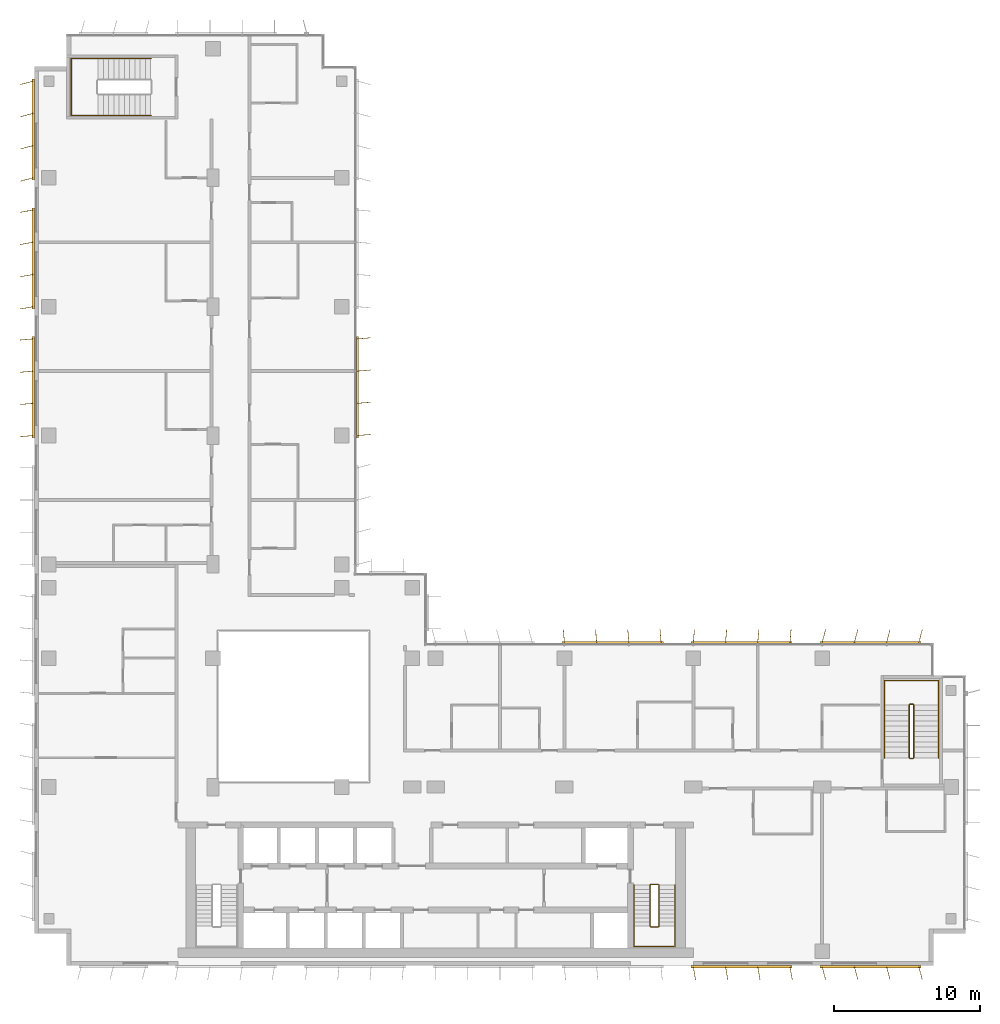
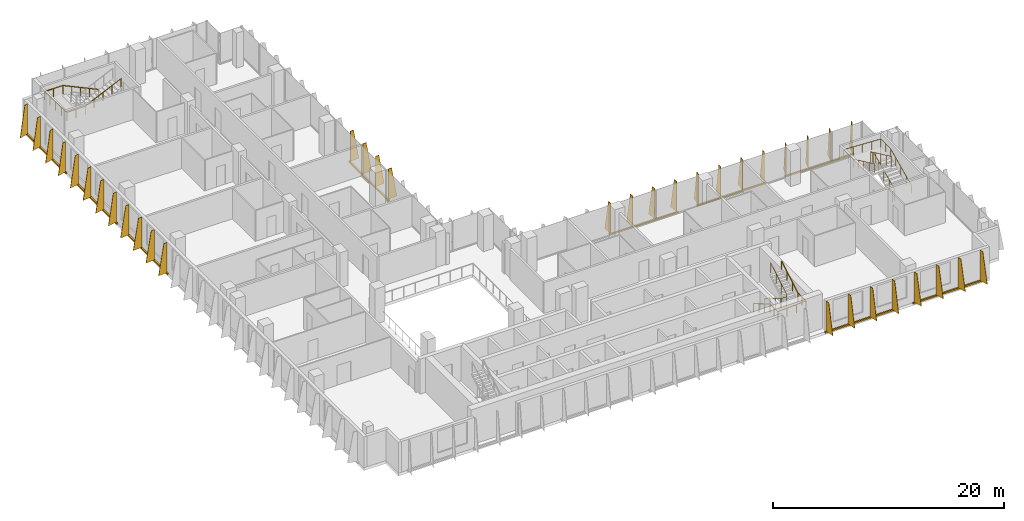
# One storey, part 19 of 20: 9 shading devices, 5 railings.
"""IFC4 building model written with IfcOpenShell, lengths in metres."""

from ifc_helpers import new_model, si_unit, direction, frame, origin, origin_2d, place, context, subcontext, project, spatial, polyline, rectangle, circle, outline, extrude, source, transform, mapped, material, layer, layer_set, type_object, element, save


model = new_model("IFC4")

# Units and contexts
model_context = context("Model", 3, precision=1e-05, world=origin(), true_north=direction((0.0, 1.0)))
body_context = subcontext(model_context, "Body", "Model", "MODEL_VIEW")
ifc_project = project(units=[si_unit("LENGTHUNIT", "METRE"), si_unit("AREAUNIT", "SQUARE_METRE"), si_unit("VOLUMEUNIT", "CUBIC_METRE"), si_unit("PLANEANGLEUNIT", "RADIAN"), si_unit("MASSUNIT", "GRAM", prefix="KILO")], contexts=[model_context])

# Site, building, storey
site_placement = place(None, origin())
site = spatial("IfcSite", under=ifc_project, at=site_placement, CompositionType="ELEMENT")
building_placement = place(site_placement, origin())
building = spatial("IfcBuilding", under=site, at=building_placement, Name="Kemantara Hotel Tower", CompositionType="ELEMENT")
storey_placement = place(building_placement, frame((0.0, 0.0, 190.10009765625)))
storey = spatial("IfcBuildingStorey", under=building, at=storey_placement, Name="L47", CompositionType="ELEMENT", Elevation=190.10009765625)

# Railings
ifc_material_1 = material(Name="Stainless steel balustrade", Category="steel")
railing_type_1 = type_object("IfcRailingType", Name="Stair guard 1100 mm", PredefinedType="GUARDRAIL", material=ifc_material_1)
railing_1_placement = place(storey_placement, frame((42.64990234375, 5.5, 3.699951171875)))
element("IfcRailing", 1, at=railing_1_placement, inside=storey, type_object=railing_type_1, Name="L47 ST2 stair guard 1", PredefinedType="GUARDRAIL", context=body_context, shape_type="SweptSolid", body=[
    extrude(circle(Radius=0.02392578125, at=origin_2d()), frame((0.0, 0.0, 1.076171875), z_axis=(0.0, -0.857242210791, -0.514913383045), x_axis=(1.0, 0.0, 0.0)), (0.0, 0.0, 1.0), 3.266357421875),
    extrude(circle(Radius=0.02392578125, at=origin_2d()), frame((0.0, -2.800048828125, -0.60595703125), z_axis=(-0.273006030465, -0.27434429532, -0.922064485248), x_axis=(0.708833529934, -0.705375805398, 0.0)), (0.0, 0.0, 1.0), 0.182373046875),
    extrude(circle(Radius=0.02392578125, at=origin_2d()), frame((-0.0498046875, -2.85009765625, -0.77392578125), z_axis=(-1.0, 0.0, 0.0), x_axis=(0.0, -1.0, 0.0)), (0.0, 0.0, 1.0), 0.5),
    extrude(circle(Radius=0.02392578125, at=origin_2d()), frame((-0.5498046875, -2.85009765625, -0.77392578125), z_axis=(-0.707106781187, 0.707106781187, 0.0), x_axis=(-0.707106781187, -0.707106781187, 0.0)), (0.0, 0.0, 1.0), 0.07080078125),
    extrude(circle(Radius=0.02392578125, at=origin_2d()), frame((-0.599853515625, -2.800048828125, -0.77392578125), z_axis=(0.0, 0.857242210791, -0.514913383045), x_axis=(-1.0, 0.0, 0.0)), (0.0, 0.0, 1.0), 3.266357421875),
    extrude(circle(Radius=0.02392578125, at=origin_2d()), frame((-0.599853515625, 0.0, -2.4560546875), z_axis=(0.274582412415, 0.274582412415, -0.921525364591), x_axis=(-0.707106781187, 0.707106781187, 0.0)), (0.0, 0.0, 1.0), 0.182373046875),
    extrude(circle(Radius=0.02392578125, at=origin_2d()), frame((-0.5498046875, 0.050048828125, -2.6240234375), z_axis=(1.0, 0.0, 0.0), x_axis=(0.0, 1.0, 0.0)), (0.0, 0.0, 1.0), 0.5),
    extrude(circle(Radius=0.02099609375, at=origin_2d()), origin(), (0.0, 0.0, 1.0), 1.052001953125),
    extrude(circle(Radius=0.02099609375, at=origin_2d()), frame((0.0, -0.933349609375, -0.560546875)), (0.0, 0.0, 1.0), 1.052001953125),
    extrude(circle(Radius=0.02099609375, at=origin_2d()), frame((0.0, -1.86669921875, -1.121337890625)), (0.0, 0.0, 1.0), 1.052001953125),
    extrude(circle(Radius=0.02099609375, at=origin_2d()), frame((0.0, -2.800048828125, -1.681884765625)), (0.0, 0.0, 1.0), 1.052001953125),
    extrude(circle(Radius=0.02099609375, at=origin_2d()), frame((-0.0498046875, -2.85009765625, -1.85009765625)), (0.0, 0.0, 1.0), 1.052001953125),
    extrude(circle(Radius=0.02099609375, at=origin_2d()), frame((-0.5498046875, -2.85009765625, -1.85009765625)), (0.0, 0.0, 1.0), 1.052001953125),
    extrude(circle(Radius=0.02099609375, at=origin_2d()), frame((-0.599853515625, -2.800048828125, -1.85009765625)), (0.0, 0.0, 1.0), 1.052001953125),
    extrude(circle(Radius=0.02099609375, at=origin_2d()), frame((-0.599853515625, -1.86669921875, -2.41064453125)), (0.0, 0.0, 1.0), 1.052001953125),
    extrude(circle(Radius=0.02099609375, at=origin_2d()), frame((-0.599853515625, -0.933349609375, -2.971435546875)), (0.0, 0.0, 1.0), 1.052001953125),
    extrude(circle(Radius=0.02099609375, at=origin_2d()), frame((-0.599853515625, 0.0, -3.531982421875)), (0.0, 0.0, 1.0), 1.052001953125),
    extrude(circle(Radius=0.02099609375, at=origin_2d()), frame((-0.5498046875, 0.050048828125, -3.699951171875)), (0.0, 0.0, 1.0), 1.052001953125),
    extrude(circle(Radius=0.02099609375, at=origin_2d()), frame((-0.0498046875, 0.050048828125, -3.699951171875)), (0.0, 0.0, 1.0), 1.052001953125),
])
railing_2_placement = place(storey_placement, frame((59.75, 14.199951171875, 3.699951171875)))
element("IfcRailing", 2, at=railing_2_placement, inside=storey, type_object=railing_type_1, Name="L47 ST3 stair guard 1", PredefinedType="GUARDRAIL", context=body_context, shape_type="SweptSolid", body=[
    extrude(circle(Radius=0.02392578125, at=origin_2d()), frame((0.0, 0.0, 1.076171875), z_axis=(0.0, 0.906005689286, -0.423265508849), x_axis=(-1.0, 0.0, 0.0)), (0.0, 0.0, 1.0), 3.9736328125),
    extrude(circle(Radius=0.02392578125, at=origin_2d()), frame((0.0, 3.60009765625, -0.60595703125), z_axis=(0.274243871929, 0.274243871929, -0.92172696468), x_axis=(-0.707106781187, 0.707106781187, 0.0)), (0.0, 0.0, 1.0), 0.1826171875),
    extrude(circle(Radius=0.02392578125, at=origin_2d()), frame((0.050048828125, 3.650146484375, -0.77392578125), z_axis=(1.0, 0.0, 0.0), x_axis=(0.0, 1.0, 0.0)), (0.0, 0.0, 1.0), 0.199951171875),
    extrude(circle(Radius=0.02392578125, at=origin_2d()), frame((0.25, 3.650146484375, -0.77392578125), z_axis=(0.707106781187, -0.707106781187, 0.0), x_axis=(0.707106781187, 0.707106781187, 0.0)), (0.0, 0.0, 1.0), 0.07080078125),
    extrude(circle(Radius=0.02392578125, at=origin_2d()), frame((0.300048828125, 3.60009765625, -0.77392578125), z_axis=(0.0, -0.906005689286, -0.423265508849), x_axis=(1.0, 0.0, 0.0)), (0.0, 0.0, 1.0), 3.9736328125),
    extrude(circle(Radius=0.02392578125, at=origin_2d()), frame((0.300048828125, 0.0, -2.4560546875), z_axis=(-0.274582412415, -0.274582412415, -0.921525364591), x_axis=(0.707106781187, -0.707106781187, 0.0)), (0.0, 0.0, 1.0), 0.182373046875),
    extrude(circle(Radius=0.02392578125, at=origin_2d()), frame((0.25, -0.050048828125, -2.6240234375), z_axis=(-1.0, 0.0, 0.0), x_axis=(0.0, -1.0, 0.0)), (0.0, 0.0, 1.0), 0.199951171875),
    extrude(circle(Radius=0.02099609375, at=origin_2d()), origin(), (0.0, 0.0, 1.0), 1.052001953125),
    extrude(circle(Radius=0.02099609375, at=origin_2d()), frame((0.0, 0.89990234375, -0.42041015625)), (0.0, 0.0, 1.0), 1.052001953125),
    extrude(circle(Radius=0.02099609375, at=origin_2d()), frame((0.0, 1.800048828125, -0.8408203125)), (0.0, 0.0, 1.0), 1.052001953125),
    extrude(circle(Radius=0.02099609375, at=origin_2d()), frame((0.0, 2.7001953125, -1.261474609375)), (0.0, 0.0, 1.0), 1.052001953125),
    extrude(circle(Radius=0.02099609375, at=origin_2d()), frame((0.0, 3.60009765625, -1.681884765625)), (0.0, 0.0, 1.0), 1.052001953125),
    extrude(circle(Radius=0.02099609375, at=origin_2d()), frame((0.050048828125, 3.650146484375, -1.85009765625)), (0.0, 0.0, 1.0), 1.052001953125),
    extrude(circle(Radius=0.02099609375, at=origin_2d()), frame((0.25, 3.650146484375, -1.85009765625)), (0.0, 0.0, 1.0), 1.052001953125),
    extrude(circle(Radius=0.02099609375, at=origin_2d()), frame((0.300048828125, 3.60009765625, -1.85009765625)), (0.0, 0.0, 1.0), 1.052001953125),
    extrude(circle(Radius=0.02099609375, at=origin_2d()), frame((0.300048828125, 2.7001953125, -2.2705078125)), (0.0, 0.0, 1.0), 1.052001953125),
    extrude(circle(Radius=0.02099609375, at=origin_2d()), frame((0.300048828125, 1.800048828125, -2.69091796875)), (0.0, 0.0, 1.0), 1.052001953125),
    extrude(circle(Radius=0.02099609375, at=origin_2d()), frame((0.300048828125, 0.89990234375, -3.111572265625)), (0.0, 0.0, 1.0), 1.052001953125),
    extrude(circle(Radius=0.02099609375, at=origin_2d()), frame((0.300048828125, 0.0, -3.531982421875)), (0.0, 0.0, 1.0), 1.052001953125),
    extrude(circle(Radius=0.02099609375, at=origin_2d()), frame((0.25, -0.050048828125, -3.699951171875)), (0.0, 0.0, 1.0), 1.052001953125),
    extrude(circle(Radius=0.02099609375, at=origin_2d()), frame((0.050048828125, -0.050048828125, -3.699951171875)), (0.0, 0.0, 1.0), 1.052001953125),
])
railing_type_2 = type_object("IfcRailingType", Name="Stair handrail 900 mm", PredefinedType="HANDRAIL", material=ifc_material_1)
railing_3_placement = place(storey_placement, frame((40.949951171875, 5.5, 0.16796875)))
element("IfcRailing", 3, at=railing_3_placement, inside=storey, type_object=railing_type_2, Name="L47 ST2 stair handrail 1", PredefinedType="HANDRAIL", context=body_context, shape_type="SweptSolid", body=[
    extrude(circle(Radius=0.02392578125, at=origin_2d()), frame((0.0, 0.0, 0.8759765625), z_axis=(0.0, -0.857242210791, 0.514913383045), x_axis=(1.0, 0.0, 0.0)), (0.0, 0.0, 1.0), 3.266357421875),
    extrude(circle(Radius=0.02392578125, at=origin_2d()), frame((0.0, -2.800048828125, 2.5576171875), z_axis=(0.0, -1.0, 0.0), x_axis=(1.0, 0.0, 0.0)), (0.0, 0.0, 1.0), 1.3798828125),
    extrude(circle(Radius=0.02392578125, at=origin_2d()), frame((0.0, -4.179931640625, 2.5576171875), z_axis=(0.998200367801, 0.0, 0.059966871865), x_axis=(0.0, 1.0, 0.0)), (0.0, 0.0, 1.0), 2.80517578125),
    extrude(circle(Radius=0.02392578125, at=origin_2d()), frame((2.800048828125, -4.179931640625, 2.72607421875), z_axis=(0.0, 1.0, 0.0), x_axis=(-1.0, 0.0, 0.0)), (0.0, 0.0, 1.0), 1.3798828125),
    extrude(circle(Radius=0.02392578125, at=origin_2d()), frame((2.800048828125, -2.800048828125, 2.72607421875), z_axis=(0.0, 0.857242210791, 0.514913383045), x_axis=(-1.0, 0.0, 0.0)), (0.0, 0.0, 1.0), 3.266357421875),
    extrude(circle(Radius=0.02099609375, at=origin_2d()), origin(), (0.0, 0.0, 1.0), 0.851806640625),
    extrude(circle(Radius=0.02099609375, at=origin_2d()), frame((0.0, -0.933349609375, 0.560546875)), (0.0, 0.0, 1.0), 0.851806640625),
    extrude(circle(Radius=0.02099609375, at=origin_2d()), frame((0.0, -1.86669921875, 1.121337890625)), (0.0, 0.0, 1.0), 0.851806640625),
    extrude(circle(Radius=0.02099609375, at=origin_2d()), frame((0.0, -2.800048828125, 1.681884765625)), (0.0, 0.0, 1.0), 0.851806640625),
    extrude(circle(Radius=0.02099609375, at=origin_2d()), frame((0.0, -3.489990234375, 1.681884765625)), (0.0, 0.0, 1.0), 0.851806640625),
    extrude(circle(Radius=0.02099609375, at=origin_2d()), frame((0.0, -4.179931640625, 1.681884765625)), (0.0, 0.0, 1.0), 0.851806640625),
    extrude(circle(Radius=0.02099609375, at=origin_2d()), frame((0.933349609375, -4.179931640625, 1.738037109375)), (0.0, 0.0, 1.0), 0.851806640625),
    extrude(circle(Radius=0.02099609375, at=origin_2d()), frame((1.86669921875, -4.179931640625, 1.7939453125)), (0.0, 0.0, 1.0), 0.851806640625),
    extrude(circle(Radius=0.02099609375, at=origin_2d()), frame((2.800048828125, -4.179931640625, 1.85009765625)), (0.0, 0.0, 1.0), 0.851806640625),
    extrude(circle(Radius=0.02099609375, at=origin_2d()), frame((2.800048828125, -3.489990234375, 1.85009765625)), (0.0, 0.0, 1.0), 0.851806640625),
    extrude(circle(Radius=0.02099609375, at=origin_2d()), frame((2.800048828125, -2.800048828125, 1.85009765625)), (0.0, 0.0, 1.0), 0.851806640625),
    extrude(circle(Radius=0.02099609375, at=origin_2d()), frame((2.800048828125, -1.86669921875, 2.41064453125)), (0.0, 0.0, 1.0), 0.851806640625),
    extrude(circle(Radius=0.02099609375, at=origin_2d()), frame((2.800048828125, -0.933349609375, 2.971435546875)), (0.0, 0.0, 1.0), 0.851806640625),
    extrude(circle(Radius=0.02099609375, at=origin_2d()), frame((2.800048828125, 0.0, 3.531982421875)), (0.0, 0.0, 1.0), 0.851806640625),
])
railing_4_placement = place(storey_placement, frame((61.75, 14.199951171875, 0.16796875)))
element("IfcRailing", 4, at=railing_4_placement, inside=storey, type_object=railing_type_2, Name="L47 ST3 stair handrail 1", PredefinedType="HANDRAIL", context=body_context, shape_type="SweptSolid", body=[
    extrude(circle(Radius=0.02392578125, at=origin_2d()), frame((0.0, 0.0, 0.8759765625), z_axis=(0.0, 0.906005689286, 0.423265508849), x_axis=(-1.0, 0.0, 0.0)), (0.0, 0.0, 1.0), 3.9736328125),
    extrude(circle(Radius=0.02392578125, at=origin_2d()), frame((0.0, 3.60009765625, 2.5576171875), z_axis=(0.0, 1.0, 0.0), x_axis=(-1.0, 0.0, 0.0)), (0.0, 0.0, 1.0), 1.679931640625),
    extrude(circle(Radius=0.02392578125, at=origin_2d()), frame((0.0, 5.280029296875, 2.5576171875), z_axis=(-0.998968132438, 0.0, 0.045416631029), x_axis=(0.0, -1.0, 0.0)), (0.0, 0.0, 1.0), 3.703857421875),
    extrude(circle(Radius=0.02392578125, at=origin_2d()), frame((-3.699951171875, 5.280029296875, 2.72607421875), z_axis=(0.0, -1.0, 0.0), x_axis=(1.0, 0.0, 0.0)), (0.0, 0.0, 1.0), 1.679931640625),
    extrude(circle(Radius=0.02392578125, at=origin_2d()), frame((-3.699951171875, 3.60009765625, 2.72607421875), z_axis=(0.0, -0.906005689286, 0.423265508849), x_axis=(1.0, 0.0, 0.0)), (0.0, 0.0, 1.0), 3.9736328125),
    extrude(circle(Radius=0.02099609375, at=origin_2d()), origin(), (0.0, 0.0, 1.0), 0.851806640625),
    extrude(circle(Radius=0.02099609375, at=origin_2d()), frame((0.0, 0.89990234375, 0.42041015625)), (0.0, 0.0, 1.0), 0.851806640625),
    extrude(circle(Radius=0.02099609375, at=origin_2d()), frame((0.0, 1.800048828125, 0.8408203125)), (0.0, 0.0, 1.0), 0.851806640625),
    extrude(circle(Radius=0.02099609375, at=origin_2d()), frame((0.0, 2.7001953125, 1.261474609375)), (0.0, 0.0, 1.0), 0.851806640625),
    extrude(circle(Radius=0.02099609375, at=origin_2d()), frame((0.0, 3.60009765625, 1.681884765625)), (0.0, 0.0, 1.0), 0.851806640625),
    extrude(circle(Radius=0.02099609375, at=origin_2d()), frame((0.0, 4.43994140625, 1.681884765625)), (0.0, 0.0, 1.0), 0.851806640625),
    extrude(circle(Radius=0.02099609375, at=origin_2d()), frame((0.0, 5.280029296875, 1.681884765625)), (0.0, 0.0, 1.0), 0.851806640625),
    extrude(circle(Radius=0.02099609375, at=origin_2d()), frame((-0.925048828125, 5.280029296875, 1.723876953125)), (0.0, 0.0, 1.0), 0.851806640625),
    extrude(circle(Radius=0.02099609375, at=origin_2d()), frame((-1.85009765625, 5.280029296875, 1.76611328125)), (0.0, 0.0, 1.0), 0.851806640625),
    extrude(circle(Radius=0.02099609375, at=origin_2d()), frame((-2.77490234375, 5.280029296875, 1.80810546875)), (0.0, 0.0, 1.0), 0.851806640625),
    extrude(circle(Radius=0.02099609375, at=origin_2d()), frame((-3.699951171875, 5.280029296875, 1.85009765625)), (0.0, 0.0, 1.0), 0.851806640625),
    extrude(circle(Radius=0.02099609375, at=origin_2d()), frame((-3.699951171875, 4.43994140625, 1.85009765625)), (0.0, 0.0, 1.0), 0.851806640625),
    extrude(circle(Radius=0.02099609375, at=origin_2d()), frame((-3.699951171875, 3.60009765625, 1.85009765625)), (0.0, 0.0, 1.0), 0.851806640625),
    extrude(circle(Radius=0.02099609375, at=origin_2d()), frame((-3.699951171875, 2.7001953125, 2.2705078125)), (0.0, 0.0, 1.0), 0.851806640625),
    extrude(circle(Radius=0.02099609375, at=origin_2d()), frame((-3.699951171875, 1.800048828125, 2.69091796875)), (0.0, 0.0, 1.0), 0.851806640625),
    extrude(circle(Radius=0.02099609375, at=origin_2d()), frame((-3.699951171875, 0.89990234375, 3.111572265625)), (0.0, 0.0, 1.0), 0.851806640625),
    extrude(circle(Radius=0.02099609375, at=origin_2d()), frame((-3.699951171875, 0.0, 3.531982421875)), (0.0, 0.0, 1.0), 0.851806640625),
])
railing_5_placement = place(storey_placement, frame((7.949951171875, 61.949951171875, 0.16796875)))
element("IfcRailing", 5, at=railing_5_placement, inside=storey, type_object=railing_type_2, Name="L47 ST4 stair handrail 1", PredefinedType="HANDRAIL", context=body_context, shape_type="SweptSolid", body=[
    extrude(circle(Radius=0.02392578125, at=origin_2d()), frame((0.0, 0.0, 0.8759765625), z_axis=(-0.905994681025, 0.0, 0.423289071386), x_axis=(0.0, -1.0, 0.0)), (0.0, 0.0, 1.0), 3.973388671875),
    extrude(circle(Radius=0.02392578125, at=origin_2d()), frame((-3.599853515625, 0.0, 2.5576171875), z_axis=(-1.0, 0.0, 0.0), x_axis=(0.0, -1.0, 0.0)), (0.0, 0.0, 1.0), 1.830078125),
    extrude(circle(Radius=0.02392578125, at=origin_2d()), frame((-5.429931640625, 0.0, 2.5576171875), z_axis=(0.0, -0.999071085748, 0.043092523981), x_axis=(1.0, 0.0, 0.0)), (0.0, 0.0, 1.0), 3.903564453125),
    extrude(circle(Radius=0.02392578125, at=origin_2d()), frame((-5.429931640625, -3.89990234375, 2.72607421875), z_axis=(1.0, 0.0, 0.0), x_axis=(0.0, 1.0, 0.0)), (0.0, 0.0, 1.0), 1.830078125),
    extrude(circle(Radius=0.02392578125, at=origin_2d()), frame((-3.599853515625, -3.89990234375, 2.72607421875), z_axis=(0.905994681025, 0.0, 0.423289071386), x_axis=(0.0, 1.0, 0.0)), (0.0, 0.0, 1.0), 3.973388671875),
    extrude(circle(Radius=0.02099609375, at=origin_2d()), origin(), (0.0, 0.0, 1.0), 0.851806640625),
    extrude(circle(Radius=0.02099609375, at=origin_2d()), frame((-0.89990234375, 0.0, 0.42041015625)), (0.0, 0.0, 1.0), 0.851806640625),
    extrude(circle(Radius=0.02099609375, at=origin_2d()), frame((-1.7998046875, 0.0, 0.8408203125)), (0.0, 0.0, 1.0), 0.851806640625),
    extrude(circle(Radius=0.02099609375, at=origin_2d()), frame((-2.699951171875, 0.0, 1.261474609375)), (0.0, 0.0, 1.0), 0.851806640625),
    extrude(circle(Radius=0.02099609375, at=origin_2d()), frame((-3.599853515625, 0.0, 1.681884765625)), (0.0, 0.0, 1.0), 0.851806640625),
    extrude(circle(Radius=0.02099609375, at=origin_2d()), frame((-4.514892578125, 0.0, 1.681884765625)), (0.0, 0.0, 1.0), 0.851806640625),
    extrude(circle(Radius=0.02099609375, at=origin_2d()), frame((-5.429931640625, 0.0, 1.681884765625)), (0.0, 0.0, 1.0), 0.851806640625),
    extrude(circle(Radius=0.02099609375, at=origin_2d()), frame((-5.429931640625, -0.97509765625, 1.723876953125)), (0.0, 0.0, 1.0), 0.851806640625),
    extrude(circle(Radius=0.02099609375, at=origin_2d()), frame((-5.429931640625, -1.949951171875, 1.76611328125)), (0.0, 0.0, 1.0), 0.851806640625),
    extrude(circle(Radius=0.02099609375, at=origin_2d()), frame((-5.429931640625, -2.9248046875, 1.80810546875)), (0.0, 0.0, 1.0), 0.851806640625),
    extrude(circle(Radius=0.02099609375, at=origin_2d()), frame((-5.429931640625, -3.89990234375, 1.85009765625)), (0.0, 0.0, 1.0), 0.851806640625),
    extrude(circle(Radius=0.02099609375, at=origin_2d()), frame((-4.514892578125, -3.89990234375, 1.85009765625)), (0.0, 0.0, 1.0), 0.851806640625),
    extrude(circle(Radius=0.02099609375, at=origin_2d()), frame((-3.599853515625, -3.89990234375, 1.85009765625)), (0.0, 0.0, 1.0), 0.851806640625),
    extrude(circle(Radius=0.02099609375, at=origin_2d()), frame((-2.699951171875, -3.89990234375, 2.2705078125)), (0.0, 0.0, 1.0), 0.851806640625),
    extrude(circle(Radius=0.02099609375, at=origin_2d()), frame((-1.7998046875, -3.89990234375, 2.69091796875)), (0.0, 0.0, 1.0), 0.851806640625),
    extrude(circle(Radius=0.02099609375, at=origin_2d()), frame((-0.89990234375, -3.89990234375, 3.111572265625)), (0.0, 0.0, 1.0), 0.851806640625),
    extrude(circle(Radius=0.02099609375, at=origin_2d()), frame((0.0, -3.89990234375, 3.531982421875)), (0.0, 0.0, 1.0), 0.851806640625),
])

# Shading devices
ifc_material_2 = material(Name="Perforated aluminium plate 4 mm bronze anodised", Category="aluminium")
ifc_layer_1 = layer(ifc_material_2, 0.0400390625)
ifc_layer_set_1 = layer_set([ifc_layer_1], Name="Perforated aluminium plate 4 mm bronze anodised")
shading_device_type_1 = type_object("IfcShadingDeviceType", Name="SCREEN FIN CASSETTE, 4 BLADES AT -5.0 DEG, 3200 HIGH", PredefinedType="USERDEFINED", material=ifc_layer_set_1)
shared_shape_1 = source(origin(), body_context, "Body", "SweptSolid", [
    extrude(rectangle(XDim=6.89990234375, YDim=0.14990234375, at=origin_2d()), frame((3.300048828125, -0.074951171875, -0.14990234375), z_axis=(0.0, 0.0, 1.0), x_axis=(1.0, 0.0, 0.0)), (0.0, 0.0, 1.0), 0.14990234375),
    extrude(outline(polyline([(0.0, 0.0), (0.89990234375, 0.0), (0.35009765625, 3.199951171875), (0.0, 3.199951171875), (0.0, 0.0)])), frame((0.02001953125, -0.07666015625, 0.0), z_axis=(-0.996376129781, 0.085056498884, 0.0), x_axis=(-0.085056498884, -0.996376129781, 0.0)), (0.0, 0.0, 1.0), 0.040283203125),
    extrude(outline(polyline([(0.0, 0.0), (0.89990234375, 0.0), (0.35009765625, 3.199951171875), (0.0, 3.199951171875), (0.0, 0.0)])), frame((2.219970703125, -0.07666015625, 0.0), z_axis=(-0.996331773833, 0.085574508182, 0.0), x_axis=(-0.085574508182, -0.996331773833, 0.0)), (0.0, 0.0, 1.0), 0.0400390625),
    extrude(outline(polyline([(0.0, 0.0), (0.89990234375, 0.0), (0.35009765625, 3.199951171875), (0.0, 3.199951171875), (0.0, 0.0)])), frame((4.419921875, -0.07666015625, 0.0), z_axis=(-0.996331773833, 0.085574508182, 0.0), x_axis=(-0.085574508182, -0.996331773833, 0.0)), (0.0, 0.0, 1.0), 0.0400390625),
    extrude(outline(polyline([(0.0, 0.0), (0.89990234375, 0.0), (0.35009765625, 3.199951171875), (0.0, 3.199951171875), (0.0, 0.0)])), frame((6.619873046875, -0.07666015625, 0.0), z_axis=(-0.996331773833, 0.085574508182, 0.0), x_axis=(-0.085574508182, -0.996331773833, 0.0)), (0.0, 0.0, 1.0), 0.0400390625),
])
shading_device_1_placement = place(storey_placement, frame((51.60009765625, 22.0, 0.099853515625), z_axis=(0.0, 0.0, 1.0), x_axis=(-1.0, 0.0, 0.0)))
element("IfcShadingDevice", 6, at=shading_device_1_placement, inside=storey, type_object=shading_device_type_1, Name="SCREEN FIN CASSETTE L47 T3-R14-2", ObjectType="SCREEN FIN", PredefinedType="USERDEFINED", context=body_context, shape_type="MappedRepresentation", body=[
    mapped(shared_shape_1, transform((0.0, 0.0, 0.0))),
])
ifc_layer_2 = layer(ifc_material_2, 0.0400390625)
ifc_layer_set_2 = layer_set([ifc_layer_2], Name="Perforated aluminium plate 4 mm bronze anodised")
shading_device_type_2 = type_object("IfcShadingDeviceType", Name="SCREEN FIN CASSETTE, 4 BLADES AT +5.0 DEG, 3200 HIGH", PredefinedType="USERDEFINED", material=ifc_layer_set_2)
shared_shape_2 = source(origin(), body_context, "Body", "SweptSolid", [
    extrude(rectangle(XDim=6.89990234375, YDim=0.14990234375, at=origin_2d()), frame((3.300048828125, -0.074951171875, -0.14990234375), z_axis=(0.0, 0.0, 1.0), x_axis=(1.0, 0.0, 0.0)), (0.0, 0.0, 1.0), 0.14990234375),
    extrude(outline(polyline([(0.0, 0.0), (0.89990234375, 0.0), (0.35009765625, 3.199951171875), (0.0, 3.199951171875), (0.0, 0.0)])), frame((0.02001953125, -0.0732421875, 0.0), z_axis=(-0.996376129781, -0.085056498884, 0.0), x_axis=(0.085056498884, -0.996376129781, 0.0)), (0.0, 0.0, 1.0), 0.040283203125),
    extrude(outline(polyline([(0.0, 0.0), (0.89990234375, 0.0), (0.35009765625, 3.199951171875), (0.0, 3.199951171875), (0.0, 0.0)])), frame((2.219970703125, -0.0732421875, 0.0), z_axis=(-0.996331773833, -0.085574508182, 0.0), x_axis=(0.085574508182, -0.996331773833, 0.0)), (0.0, 0.0, 1.0), 0.0400390625),
    extrude(outline(polyline([(0.0, 0.0), (0.89990234375, 0.0), (0.35009765625, 3.199951171875), (0.0, 3.199951171875), (0.0, 0.0)])), frame((4.419921875, -0.0732421875, 0.0), z_axis=(-0.996331773833, -0.085574508182, 0.0), x_axis=(0.085574508182, -0.996331773833, 0.0)), (0.0, 0.0, 1.0), 0.0400390625),
    extrude(outline(polyline([(0.0, 0.0), (0.89990234375, 0.0), (0.35009765625, 3.199951171875), (0.0, 3.199951171875), (0.0, 0.0)])), frame((6.619873046875, -0.0732421875, 0.0), z_axis=(-0.996331773833, -0.085574508182, 0.0), x_axis=(0.085574508182, -0.996331773833, 0.0)), (0.0, 0.0, 1.0), 0.0400390625),
])
for number, where, z_axis, x_axis, name in (
    (7, (0.0, 42.800048828125, 0.099853515625), (0.0, 0.0, 1.0), (0.0, -1.0, 0.0), "SCREEN FIN CASSETTE L47 T3-R05-3"),
    (8, (42.800048828125, 22.0, 0.099853515625), (0.0, 0.0, 1.0), (-1.0, 0.0, 0.0), "SCREEN FIN CASSETTE L47 T3-R14-3"),
    (9, (22.0, 36.199951171875, 0.099853515625), (0.0, 0.0, 1.0), (0.0, 1.0, 0.0), "SCREEN FIN CASSETTE L47 T3-R17-2"),
):
    element("IfcShadingDevice", number, at=place(storey_placement, frame(where, z_axis=z_axis, x_axis=x_axis)), inside=storey, type_object=shading_device_type_2, Name=name, ObjectType="SCREEN FIN", PredefinedType="USERDEFINED", context=body_context, shape_type="MappedRepresentation", body=[
        mapped(shared_shape_2, transform((0.0, 0.0, 0.0))),
    ])
ifc_layer_3 = layer(ifc_material_2, 0.0400390625)
ifc_layer_set_3 = layer_set([ifc_layer_3], Name="Perforated aluminium plate 4 mm bronze anodised")
shading_device_type_3 = type_object("IfcShadingDeviceType", Name="SCREEN FIN CASSETTE, 4 BLADES AT +10.0 DEG, 3200 HIGH", PredefinedType="USERDEFINED", material=ifc_layer_set_3)
shared_shape_3 = source(origin(), body_context, "Body", "SweptSolid", [
    extrude(rectangle(XDim=6.89990234375, YDim=0.14990234375, at=origin_2d()), frame((3.300048828125, -0.074951171875, -0.14990234375), z_axis=(0.0, 0.0, 1.0), x_axis=(1.0, 0.0, 0.0)), (0.0, 0.0, 1.0), 0.14990234375),
    extrude(outline(polyline([(0.0, 0.0), (0.89990234375, 0.0), (0.35009765625, 3.199951171875), (0.0, 3.199951171875), (0.0, 0.0)])), frame((0.019775390625, -0.071533203125, 0.0), z_axis=(-0.985389793052, -0.170314285219, 0.0), x_axis=(0.170314285219, -0.985389793052, 0.0)), (0.0, 0.0, 1.0), 0.0400390625),
    extrude(outline(polyline([(0.0, 0.0), (0.89990234375, 0.0), (0.35009765625, 3.199951171875), (0.0, 3.199951171875), (0.0, 0.0)])), frame((2.2197265625, -0.071533203125, 0.0), z_axis=(-0.98521175482, -0.171341174751, 0.0), x_axis=(0.171341174751, -0.98521175482, 0.0)), (0.0, 0.0, 1.0), 0.039794921875),
    extrude(outline(polyline([(0.0, 0.0), (0.89990234375, 0.0), (0.35009765625, 3.199951171875), (0.0, 3.199951171875), (0.0, 0.0)])), frame((4.419677734375, -0.071533203125, 0.0), z_axis=(-0.98521175482, -0.171341174751, 0.0), x_axis=(0.171341174751, -0.98521175482, 0.0)), (0.0, 0.0, 1.0), 0.039794921875),
    extrude(outline(polyline([(0.0, 0.0), (0.89990234375, 0.0), (0.35009765625, 3.199951171875), (0.0, 3.199951171875), (0.0, 0.0)])), frame((6.61962890625, -0.071533203125, 0.0), z_axis=(-0.98521175482, -0.171341174751, 0.0), x_axis=(0.171341174751, -0.98521175482, 0.0)), (0.0, 0.0, 1.0), 0.039794921875),
])
for number, where, z_axis, x_axis, name in (
    (10, (0.0, 51.60009765625, 0.099853515625), (0.0, 0.0, 1.0), (0.0, -1.0, 0.0), "SCREEN FIN CASSETTE L47 T3-R05-2"),
    (11, (45.0, 0.0, 0.099853515625), (0.0, 0.0, 1.0), (1.0, 0.0, 0.0), "SCREEN FIN CASSETTE L47 T3-R08-6"),
):
    element("IfcShadingDevice", number, at=place(storey_placement, frame(where, z_axis=z_axis, x_axis=x_axis)), inside=storey, type_object=shading_device_type_3, Name=name, ObjectType="SCREEN FIN", PredefinedType="USERDEFINED", context=body_context, shape_type="MappedRepresentation", body=[
        mapped(shared_shape_3, transform((0.0, 0.0, 0.0))),
    ])
ifc_layer_4 = layer(ifc_material_2, 0.0400390625)
ifc_layer_set_4 = layer_set([ifc_layer_4], Name="Perforated aluminium plate 4 mm bronze anodised")
shading_device_type_4 = type_object("IfcShadingDeviceType", Name="SCREEN FIN CASSETTE, 4 BLADES AT +15.0 DEG, 3200 HIGH", PredefinedType="USERDEFINED", material=ifc_layer_set_4)
shared_shape_4 = source(origin(), body_context, "Body", "SweptSolid", [
    extrude(rectangle(XDim=6.89990234375, YDim=0.14990234375, at=origin_2d()), frame((3.300048828125, -0.074951171875, -0.14990234375), z_axis=(0.0, 0.0, 1.0), x_axis=(1.0, 0.0, 0.0)), (0.0, 0.0, 1.0), 0.14990234375),
    extrude(outline(polyline([(0.0, 0.0), (0.89990234375, 0.0), (0.35009765625, 3.199951171875), (0.0, 3.199951171875), (0.0, 0.0)])), frame((0.019287109375, -0.06982421875, 0.0), z_axis=(-0.966437683387, -0.256901156343, 0.0), x_axis=(0.256901156343, -0.966437683387, 0.0)), (0.0, 0.0, 1.0), 0.039794921875),
    extrude(outline(polyline([(0.0, 0.0), (0.89990234375, 0.0), (0.35009765625, 3.199951171875), (0.0, 3.199951171875), (0.0, 0.0)])), frame((2.21923828125, -0.06982421875, 0.0), z_axis=(-0.966437683387, -0.256901156343, 0.0), x_axis=(0.256901156343, -0.966437683387, 0.0)), (0.0, 0.0, 1.0), 0.039794921875),
    extrude(outline(polyline([(0.0, 0.0), (0.89990234375, 0.0), (0.35009765625, 3.199951171875), (0.0, 3.199951171875), (0.0, 0.0)])), frame((4.41943359375, -0.06982421875, 0.0), z_axis=(-0.966837822169, -0.255391122837, 0.0), x_axis=(0.255391122837, -0.966837822169, 0.0)), (0.0, 0.0, 1.0), 0.0400390625),
    extrude(outline(polyline([(0.0, 0.0), (0.89990234375, 0.0), (0.35009765625, 3.199951171875), (0.0, 3.199951171875), (0.0, 0.0)])), frame((6.619384765625, -0.06982421875, 0.0), z_axis=(-0.966837822169, -0.255391122837, 0.0), x_axis=(0.255391122837, -0.966837822169, 0.0)), (0.0, 0.0, 1.0), 0.0400390625),
])
for number, where, z_axis, x_axis, name in (
    (12, (0.0, 60.39990234375, 0.099853515625), (0.0, 0.0, 1.0), (0.0, -1.0, 0.0), "SCREEN FIN CASSETTE L47 T3-R05-1"),
    (13, (53.800048828125, 0.0, 0.099853515625), (0.0, 0.0, 1.0), (1.0, 0.0, 0.0), "SCREEN FIN CASSETTE L47 T3-R08-7"),
):
    element("IfcShadingDevice", number, at=place(storey_placement, frame(where, z_axis=z_axis, x_axis=x_axis)), inside=storey, type_object=shading_device_type_4, Name=name, ObjectType="SCREEN FIN", PredefinedType="USERDEFINED", context=body_context, shape_type="MappedRepresentation", body=[
        mapped(shared_shape_4, transform((0.0, 0.0, 0.0))),
    ])
ifc_layer_5 = layer(ifc_material_2, 0.0400390625)
ifc_layer_set_5 = layer_set([ifc_layer_5], Name="Perforated aluminium plate 4 mm bronze anodised")
shading_device_type_5 = type_object("IfcShadingDeviceType", Name="SCREEN FIN CASSETTE, 4 BLADES AT -15.0 DEG, 3200 HIGH", PredefinedType="USERDEFINED", material=ifc_layer_set_5)
shared_shape_5 = source(origin(), body_context, "Body", "SweptSolid", [
    extrude(rectangle(XDim=6.89990234375, YDim=0.14990234375, at=origin_2d()), frame((3.300048828125, -0.074951171875, -0.14990234375), z_axis=(0.0, 0.0, 1.0), x_axis=(1.0, 0.0, 0.0)), (0.0, 0.0, 1.0), 0.14990234375),
    extrude(outline(polyline([(0.0, 0.0), (0.89990234375, 0.0), (0.35009765625, 3.199951171875), (0.0, 3.199951171875), (0.0, 0.0)])), frame((0.019287109375, -0.080078125, 0.0), z_axis=(-0.966437683387, 0.256901156343, 0.0), x_axis=(-0.256901156343, -0.966437683387, 0.0)), (0.0, 0.0, 1.0), 0.039794921875),
    extrude(outline(polyline([(0.0, 0.0), (0.89990234375, 0.0), (0.35009765625, 3.199951171875), (0.0, 3.199951171875), (0.0, 0.0)])), frame((2.21923828125, -0.080078125, 0.0), z_axis=(-0.966437683387, 0.256901156343, 0.0), x_axis=(-0.256901156343, -0.966437683387, 0.0)), (0.0, 0.0, 1.0), 0.039794921875),
    extrude(outline(polyline([(0.0, 0.0), (0.89990234375, 0.0), (0.35009765625, 3.199951171875), (0.0, 3.199951171875), (0.0, 0.0)])), frame((4.41943359375, -0.080078125, 0.0), z_axis=(-0.966837822169, 0.255391122837, 0.0), x_axis=(-0.255391122837, -0.966837822169, 0.0)), (0.0, 0.0, 1.0), 0.0400390625),
    extrude(outline(polyline([(0.0, 0.0), (0.89990234375, 0.0), (0.35009765625, 3.199951171875), (0.0, 3.199951171875), (0.0, 0.0)])), frame((6.619384765625, -0.080078125, 0.0), z_axis=(-0.966837822169, 0.255391122837, 0.0), x_axis=(-0.255391122837, -0.966837822169, 0.0)), (0.0, 0.0, 1.0), 0.0400390625),
])
shading_device_2_placement = place(storey_placement, frame((60.39990234375, 22.0, 0.099853515625), z_axis=(0.0, 0.0, 1.0), x_axis=(-1.0, 0.0, 0.0)))
element("IfcShadingDevice", 14, at=shading_device_2_placement, inside=storey, type_object=shading_device_type_5, Name="SCREEN FIN CASSETTE L47 T3-R14-1", ObjectType="SCREEN FIN", PredefinedType="USERDEFINED", context=body_context, shape_type="MappedRepresentation", body=[
    mapped(shared_shape_5, transform((0.0, 0.0, 0.0))),
])

save(model, "model.ifc")
